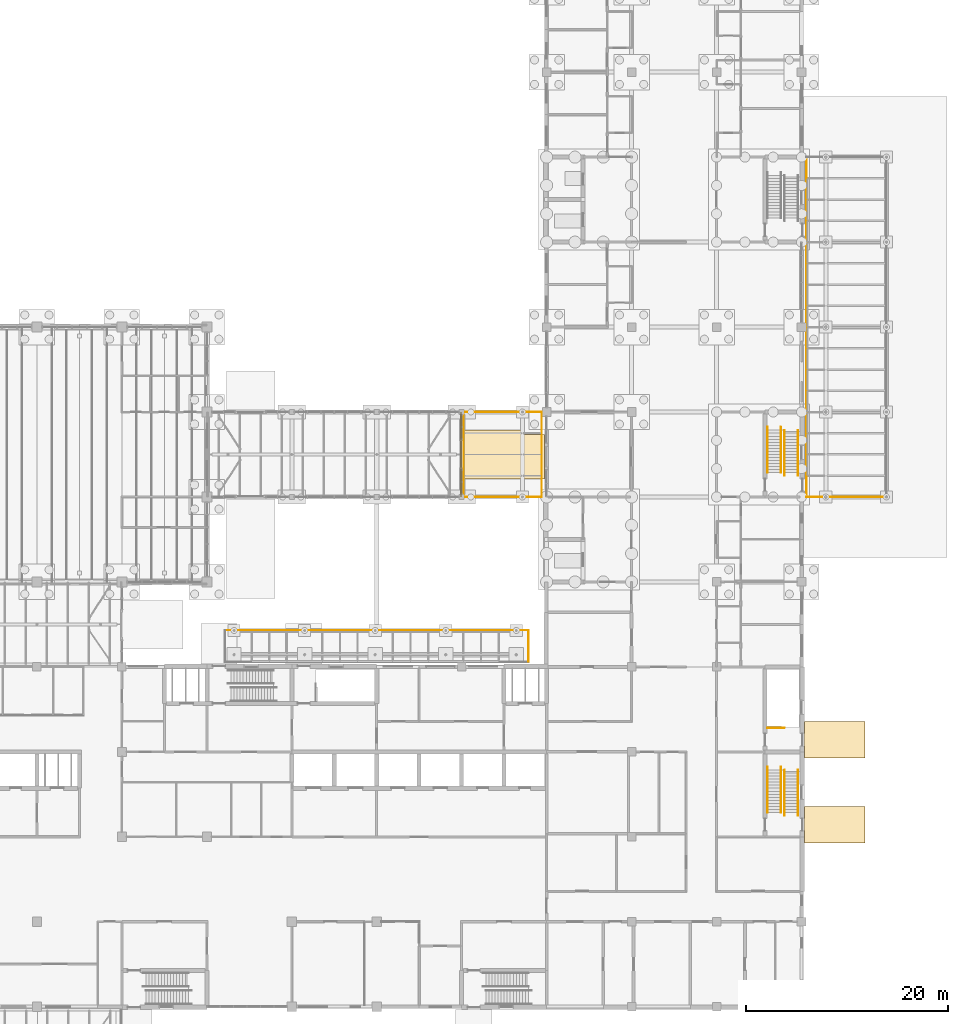
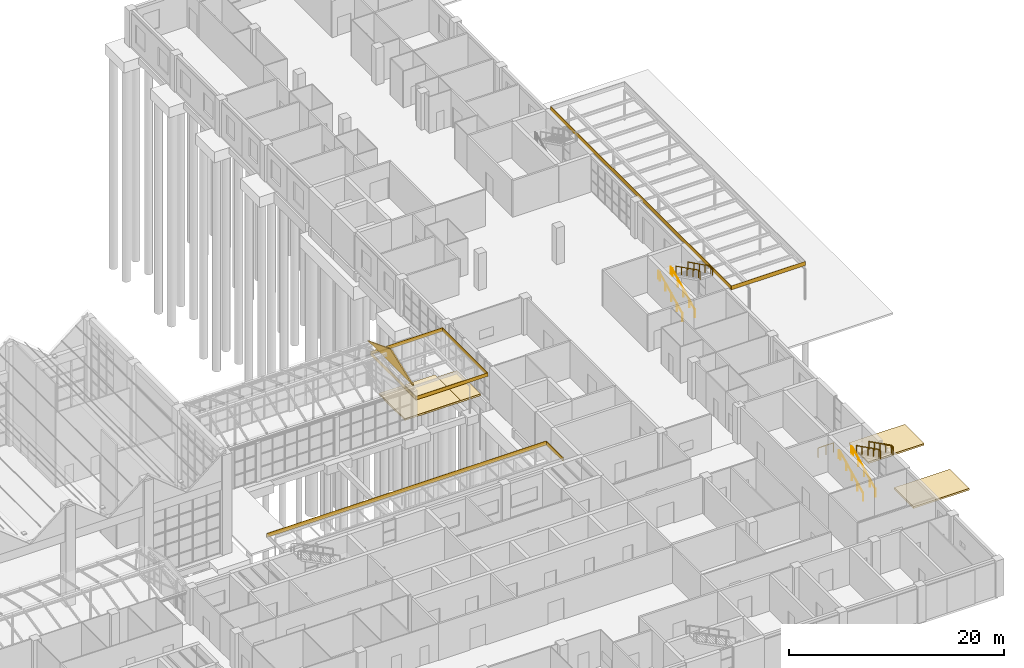
# One storey, part 135 of 138: 13 coverings, 9 railings.
"""IFC4 building model written with IfcOpenShell, lengths in metres."""

from ifc_helpers import new_model, si_unit, direction, frame, origin, origin_2d, place, context, subcontext, project, spatial, polyline, circle, outline, extrude, material, layer, layer_set, type_object, element, save


model = new_model("IFC4")

# Units and contexts
model_context = context("Model", 3, precision=1e-05, world=origin(), true_north=direction((0.0, 1.0)))
body_context = subcontext(model_context, "Body", "Model", "MODEL_VIEW")
ifc_project = project(units=[si_unit("LENGTHUNIT", "METRE"), si_unit("AREAUNIT", "SQUARE_METRE"), si_unit("VOLUMEUNIT", "CUBIC_METRE"), si_unit("PLANEANGLEUNIT", "RADIAN"), si_unit("MASSUNIT", "GRAM", prefix="KILO")], contexts=[model_context])

# Site, building, storey
site_placement = place(None, origin())
site = spatial("IfcSite", under=ifc_project, at=site_placement, CompositionType="ELEMENT")
building_placement = place(site_placement, origin())
building = spatial("IfcBuilding", under=site, at=building_placement, Name="Yavir Park General Hospital", CompositionType="ELEMENT")
storey_placement = place(building_placement, origin())
storey = spatial("IfcBuildingStorey", under=building, at=storey_placement, Name="L00", CompositionType="ELEMENT", Elevation=0.0)

# Coverings
ifc_material_1 = material(Name="Aluminium composite cladding", Category="aluminium")
ifc_layer_1 = layer(ifc_material_1, 0.0400390625)
ifc_layer_set_1 = layer_set([ifc_layer_1], Name="Aluminium composite cladding")
covering_type_1 = type_object("IfcCoveringType", Name="Canopy fascia 40", PredefinedType="CLADDING", material=ifc_layer_set_1)
covering_1_placement = place(storey_placement, frame((0.0, 0.0, 3.85009765625)))
element("IfcCovering", 1, at=covering_1_placement, inside=storey, type_object=covering_type_1, Name="Canopy fascia AMB S", PredefinedType="CLADDING", context=body_context, shape_type="SweptSolid", body=[
    extrude(outline(polyline([(168.4599609375, 50.360107421875), (176.43994140625, 50.360107421875), (176.43994140625, 50.39990234375), (168.4599609375, 50.39990234375), (168.4599609375, 50.360107421875)])), origin(), (0.0, 0.0, 1.0), 0.449951171875),
])
covering_2_placement = place(storey_placement, frame((0.0, 0.0, 3.85009765625)))
element("IfcCovering", 2, at=covering_2_placement, inside=storey, type_object=covering_type_1, Name="Canopy fascia AMB W", PredefinedType="CLADDING", context=body_context, shape_type="SweptSolid", body=[
    extrude(outline(polyline([(168.4599609375, 50.39990234375), (168.5, 50.39990234375), (168.5, 84.0), (168.4599609375, 84.0), (168.4599609375, 50.39990234375)])), origin(), (0.0, 0.0, 1.0), 0.449951171875),
])
covering_3_placement = place(storey_placement, frame((0.0, 0.0, 3.85009765625)))
element("IfcCovering", 3, at=covering_3_placement, inside=storey, type_object=covering_type_1, Name="Canopy fascia ARC2 N", PredefinedType="CLADDING", context=body_context, shape_type="SweptSolid", body=[
    extrude(outline(polyline([(110.9599609375, 37.199951171875), (141.0400390625, 37.199951171875), (141.0400390625, 37.239990234375), (110.9599609375, 37.239990234375), (110.9599609375, 37.199951171875)])), origin(), (0.0, 0.0, 1.0), 0.449951171875),
])
covering_4_placement = place(storey_placement, frame((0.0, 0.0, 3.85009765625)))
element("IfcCovering", 4, at=covering_4_placement, inside=storey, type_object=covering_type_1, Name="Canopy fascia ARC2 E", PredefinedType="CLADDING", context=body_context, shape_type="SweptSolid", body=[
    extrude(outline(polyline([(141.0, 34.10009765625), (141.0400390625, 34.10009765625), (141.0400390625, 37.199951171875), (141.0, 37.199951171875), (141.0, 34.10009765625)])), origin(), (0.0, 0.0, 1.0), 0.449951171875),
])
covering_5_placement = place(storey_placement, frame((0.0, 0.0, 3.199951171875)))
element("IfcCovering", 5, at=covering_5_placement, inside=storey, type_object=covering_type_1, Name="Canopy fascia EDW S", PredefinedType="CLADDING", context=body_context, shape_type="SweptSolid", body=[
    extrude(outline(polyline([(134.580078125, 50.360107421875), (142.340087890625, 50.360107421875), (142.340087890625, 50.39990234375), (134.580078125, 50.39990234375), (134.580078125, 50.360107421875)])), origin(), (0.0, 0.0, 1.0), 0.400146484375),
])
covering_6_placement = place(storey_placement, frame((0.0, 0.0, 3.199951171875)))
element("IfcCovering", 6, at=covering_6_placement, inside=storey, type_object=covering_type_1, Name="Canopy fascia EDW N", PredefinedType="CLADDING", context=body_context, shape_type="SweptSolid", body=[
    extrude(outline(polyline([(134.580078125, 58.800048828125), (142.340087890625, 58.800048828125), (142.340087890625, 58.840087890625), (134.580078125, 58.840087890625), (134.580078125, 58.800048828125)])), origin(), (0.0, 0.0, 1.0), 0.400146484375),
])
covering_7_placement = place(storey_placement, frame((0.0, 0.0, 3.199951171875)))
element("IfcCovering", 7, at=covering_7_placement, inside=storey, type_object=covering_type_1, Name="Canopy fascia EDW W", PredefinedType="CLADDING", context=body_context, shape_type="SweptSolid", body=[
    extrude(outline(polyline([(134.580078125, 50.39990234375), (134.6201171875, 50.39990234375), (134.6201171875, 58.800048828125), (134.580078125, 58.800048828125), (134.580078125, 50.39990234375)])), origin(), (0.0, 0.0, 1.0), 0.400146484375),
])
covering_8_placement = place(storey_placement, frame((0.0, 0.0, 3.199951171875)))
element("IfcCovering", 8, at=covering_8_placement, inside=storey, type_object=covering_type_1, Name="Canopy fascia EDW E", PredefinedType="CLADDING", context=body_context, shape_type="SweptSolid", body=[
    extrude(outline(polyline([(142.300048828125, 50.39990234375), (142.340087890625, 50.39990234375), (142.340087890625, 58.800048828125), (142.300048828125, 58.800048828125), (142.300048828125, 50.39990234375)])), origin(), (0.0, 0.0, 1.0), 0.400146484375),
])
ifc_material_2 = material(Name="Precast paving flags on a compacted sub-base", Category="concrete")
ifc_layer_2 = layer(ifc_material_2, 0.199951171875)
ifc_layer_set_2 = layer_set([ifc_layer_2], Name="Precast paving flags on a compacted sub-base")
covering_type_2 = type_object("IfcCoveringType", Name="External paving 200", PredefinedType="FLOORING", material=ifc_layer_set_2)
covering_9_placement = place(storey_placement, frame((0.0, 0.0, -0.199951171875)))
element("IfcCovering", 9, at=covering_9_placement, inside=storey, type_object=covering_type_2, Name="Entrance paving east 1", PredefinedType="FLOORING", context=body_context, shape_type="SweptSolid", body=[
    extrude(outline(polyline([(134.5, 56.10009765625), (134.5, 56.159912109375), (134.469970703125, 56.159912109375), (134.469970703125, 57.0), (140.449951171875, 57.0), (140.449951171875, 52.199951171875), (134.469970703125, 52.199951171875), (134.469970703125, 53.0400390625), (134.5, 53.0400390625), (134.5, 53.10009765625), (134.449951171875, 53.10009765625), (134.449951171875, 56.10009765625), (134.5, 56.10009765625)])), origin(), (0.0, 0.0, 1.0), 0.199951171875),
])
covering_10_placement = place(storey_placement, frame((0.0, 0.0, -0.199951171875)))
element("IfcCovering", 10, at=covering_10_placement, inside=storey, type_object=covering_type_2, Name="Entrance paving east 1", PredefinedType="FLOORING", context=body_context, shape_type="SweptSolid", body=[
    extrude(outline(polyline([(168.300048828125, 19.800048828125), (174.300048828125, 19.800048828125), (174.300048828125, 16.199951171875), (168.300048828125, 16.199951171875), (168.300048828125, 19.800048828125)])), origin(), (0.0, 0.0, 1.0), 0.199951171875),
])
covering_11_placement = place(storey_placement, frame((0.0, 0.0, -0.199951171875)))
element("IfcCovering", 11, at=covering_11_placement, inside=storey, type_object=covering_type_2, Name="Entrance paving east 2", PredefinedType="FLOORING", context=body_context, shape_type="SweptSolid", body=[
    extrude(outline(polyline([(174.300048828125, 28.199951171875), (174.300048828125, 24.60009765625), (168.300048828125, 24.60009765625), (168.300048828125, 28.199951171875), (174.300048828125, 28.199951171875)])), origin(), (0.0, 0.0, 1.0), 0.199951171875),
])
covering_12_placement = place(storey_placement, frame((0.0, 0.0, -0.199951171875)))
element("IfcCovering", 12, at=covering_12_placement, inside=storey, type_object=covering_type_2, Name="Entrance paving west 1", PredefinedType="FLOORING", context=body_context, shape_type="SweptSolid", body=[
    extrude(outline(polyline([(142.60009765625, 56.58740234375), (142.60009765625, 55.6875), (142.60009765625, 53.08740234375), (142.60009765625, 52.1875), (136.60009765625, 52.1875), (136.60009765625, 52.199951171875), (140.449951171875, 52.199951171875), (140.449951171875, 56.58740234375), (142.60009765625, 56.58740234375)])), origin(), (0.0, 0.0, 1.0), 0.199951171875),
])
ifc_material_3 = material(Name="Toughened safety glass", Category="glass")
ifc_layer_3 = layer(ifc_material_3, 0.1201171875)
ifc_layer_set_3 = layer_set([ifc_layer_3], Name="Toughened safety glass")
covering_type_3 = type_object("IfcCoveringType", Name="Gable end glass panel 120", PredefinedType="CLADDING", material=ifc_layer_set_3)
covering_13_placement = place(storey_placement, frame((134.39990234375, 50.39990234375, 4.93896484375), z_axis=(1.0, 0.0, 0.0), x_axis=(0.0, 1.0, 0.0)))
element("IfcCovering", 13, at=covering_13_placement, inside=storey, type_object=covering_type_3, Name="Gable end panel CONC-E-G01", PredefinedType="CLADDING", context=body_context, shape_type="SweptSolid", body=[
    extrude(outline(polyline([(0.0, 0.0), (8.400146484375, 0.0), (4.2001953125, 1.60009765625), (0.0, 0.0)])), origin(), (0.0, 0.0, -1.0), 0.1201171875),
])

# Railings
ifc_material_4 = material(Name="Steel balustrade with infill rods", Category="steel")
railing_type_1 = type_object("IfcRailingType", Name="Stair guard, steel balustrade 1100 mm", PredefinedType="GUARDRAIL", material=ifc_material_4)
railing_placement = place(storey_placement, frame((164.6298828125, 27.570068359375, 0.0)))
element("IfcRailing", 14, at=railing_placement, inside=storey, type_object=railing_type_1, Name="Stair well guard BS5 L00", PredefinedType="GUARDRAIL", context=body_context, shape_type="SweptSolid", body=[
    extrude(circle(Radius=0.02392578125, at=origin_2d()), frame((0.0, 0.0, 1.076171875), z_axis=(1.0, 0.0, 0.0), x_axis=(0.0, 1.0, 0.0)), (0.0, 0.0, 1.0), 1.670166015625),
    extrude(circle(Radius=0.02099609375, at=origin_2d()), origin(), (0.0, 0.0, 1.0), 1.052001953125),
    extrude(circle(Radius=0.02099609375, at=origin_2d()), frame((0.8349609375, 0.0, 0.0)), (0.0, 0.0, 1.0), 1.052001953125),
    extrude(circle(Radius=0.02099609375, at=origin_2d()), frame((1.670166015625, 0.0, 0.0)), (0.0, 0.0, 1.0), 1.052001953125),
])
ifc_material_5 = material(Name="Stainless steel tube 48 mm", Category="steel")
railing_type_2 = type_object("IfcRailingType", Name="Stair handrail, steel tube, 900 mm above the nosings", PredefinedType="HANDRAIL", material=ifc_material_5)
for number, where, name in (
    (15, (164.639892578125, 19.199951171875, 0.14990234375), "Handrail SU6 L00 1"),
    (16, (165.9599609375, 19.199951171875, 0.14990234375), "Handrail SU6 L00 2"),
):
    element("IfcRailing", number, at=place(storey_placement, frame(where)), inside=storey, type_object=railing_type_2, Name=name, PredefinedType="HANDRAIL", context=body_context, shape_type="SweptSolid", body=[
        extrude(circle(Radius=0.02392578125, at=origin_2d()), frame((0.0, 0.0, 0.8759765625), z_axis=(0.0, 0.894416792377, 0.447234392142), x_axis=(-1.0, 0.0, 0.0)), (0.0, 0.0, 1.0), 4.69580078125),
        extrude(circle(Radius=0.02392578125, at=origin_2d()), frame((0.0, 4.199951171875, 2.97607421875), z_axis=(0.0, 1.0, 0.0), x_axis=(-1.0, 0.0, 0.0)), (0.0, 0.0, 1.0), 0.300048828125),
        extrude(circle(Radius=0.02099609375, at=origin_2d()), origin(), (0.0, 0.0, 1.0), 0.851806640625),
        extrude(circle(Radius=0.02099609375, at=origin_2d()), frame((0.0, 1.050048828125, 0.52490234375)), (0.0, 0.0, 1.0), 0.851806640625),
        extrude(circle(Radius=0.02099609375, at=origin_2d()), frame((0.0, 2.10009765625, 1.050048828125)), (0.0, 0.0, 1.0), 0.851806640625),
        extrude(circle(Radius=0.02099609375, at=origin_2d()), frame((0.0, 3.14990234375, 1.5751953125)), (0.0, 0.0, 1.0), 0.851806640625),
        extrude(circle(Radius=0.02099609375, at=origin_2d()), frame((0.0, 4.199951171875, 2.10009765625)), (0.0, 0.0, 1.0), 0.851806640625),
        extrude(circle(Radius=0.02099609375, at=origin_2d()), frame((0.0, 4.5, 2.10009765625)), (0.0, 0.0, 1.0), 0.851806640625),
    ])
for number, where, name in (
    (17, (167.659912109375, 23.39990234375, 2.39990234375), "Handrail SU6 L00 3"),
    (18, (166.340087890625, 23.39990234375, 2.39990234375), "Handrail SU6 L00 4"),
):
    element("IfcRailing", number, at=place(storey_placement, frame(where)), inside=storey, type_object=railing_type_2, Name=name, PredefinedType="HANDRAIL", context=body_context, shape_type="SweptSolid", body=[
        extrude(circle(Radius=0.02392578125, at=origin_2d()), frame((0.0, 0.0, 0.8759765625), z_axis=(0.0, -0.894416792377, 0.447234392142), x_axis=(1.0, 0.0, 0.0)), (0.0, 0.0, 1.0), 4.69580078125),
        extrude(circle(Radius=0.02392578125, at=origin_2d()), frame((0.0, -4.199951171875, 2.97607421875), z_axis=(0.0, -1.0, 0.0), x_axis=(1.0, 0.0, 0.0)), (0.0, 0.0, 1.0), 0.300048828125),
        extrude(circle(Radius=0.02099609375, at=origin_2d()), origin(), (0.0, 0.0, 1.0), 0.851806640625),
        extrude(circle(Radius=0.02099609375, at=origin_2d()), frame((0.0, -1.050048828125, 0.52490234375)), (0.0, 0.0, 1.0), 0.851806640625),
        extrude(circle(Radius=0.02099609375, at=origin_2d()), frame((0.0, -2.10009765625, 1.050048828125)), (0.0, 0.0, 1.0), 0.851806640625),
        extrude(circle(Radius=0.02099609375, at=origin_2d()), frame((0.0, -3.14990234375, 1.5751953125)), (0.0, 0.0, 1.0), 0.851806640625),
        extrude(circle(Radius=0.02099609375, at=origin_2d()), frame((0.0, -4.199951171875, 2.10009765625)), (0.0, 0.0, 1.0), 0.851806640625),
        extrude(circle(Radius=0.02099609375, at=origin_2d()), frame((0.0, -4.5, 2.10009765625)), (0.0, 0.0, 1.0), 0.851806640625),
    ])
for number, where, name in (
    (19, (164.639892578125, 52.800048828125, 0.14990234375), "Handrail ES1 L00 1"),
    (20, (165.9599609375, 52.800048828125, 0.14990234375), "Handrail ES1 L00 2"),
):
    element("IfcRailing", number, at=place(storey_placement, frame(where)), inside=storey, type_object=railing_type_2, Name=name, PredefinedType="HANDRAIL", context=body_context, shape_type="SweptSolid", body=[
        extrude(circle(Radius=0.02392578125, at=origin_2d()), frame((0.0, 0.0, 0.8759765625), z_axis=(0.0, 0.894416792377, 0.447234392142), x_axis=(-1.0, 0.0, 0.0)), (0.0, 0.0, 1.0), 4.69580078125),
        extrude(circle(Radius=0.02392578125, at=origin_2d()), frame((0.0, 4.199951171875, 2.97607421875), z_axis=(0.0, 1.0, 0.0), x_axis=(-1.0, 0.0, 0.0)), (0.0, 0.0, 1.0), 0.300048828125),
        extrude(circle(Radius=0.02099609375, at=origin_2d()), origin(), (0.0, 0.0, 1.0), 0.851806640625),
        extrude(circle(Radius=0.02099609375, at=origin_2d()), frame((0.0, 1.050048828125, 0.52490234375)), (0.0, 0.0, 1.0), 0.851806640625),
        extrude(circle(Radius=0.02099609375, at=origin_2d()), frame((0.0, 2.10009765625, 1.050048828125)), (0.0, 0.0, 1.0), 0.851806640625),
        extrude(circle(Radius=0.02099609375, at=origin_2d()), frame((0.0, 3.14990234375, 1.5751953125)), (0.0, 0.0, 1.0), 0.851806640625),
        extrude(circle(Radius=0.02099609375, at=origin_2d()), frame((0.0, 4.199951171875, 2.10009765625)), (0.0, 0.0, 1.0), 0.851806640625),
        extrude(circle(Radius=0.02099609375, at=origin_2d()), frame((0.0, 4.5, 2.10009765625)), (0.0, 0.0, 1.0), 0.851806640625),
    ])
for number, where, name in (
    (21, (167.659912109375, 57.0, 2.39990234375), "Handrail ES1 L00 3"),
    (22, (166.340087890625, 57.0, 2.39990234375), "Handrail ES1 L00 4"),
):
    element("IfcRailing", number, at=place(storey_placement, frame(where)), inside=storey, type_object=railing_type_2, Name=name, PredefinedType="HANDRAIL", context=body_context, shape_type="SweptSolid", body=[
        extrude(circle(Radius=0.02392578125, at=origin_2d()), frame((0.0, 0.0, 0.8759765625), z_axis=(0.0, -0.894416792377, 0.447234392142), x_axis=(1.0, 0.0, 0.0)), (0.0, 0.0, 1.0), 4.69580078125),
        extrude(circle(Radius=0.02392578125, at=origin_2d()), frame((0.0, -4.199951171875, 2.97607421875), z_axis=(0.0, -1.0, 0.0), x_axis=(1.0, 0.0, 0.0)), (0.0, 0.0, 1.0), 0.300048828125),
        extrude(circle(Radius=0.02099609375, at=origin_2d()), origin(), (0.0, 0.0, 1.0), 0.851806640625),
        extrude(circle(Radius=0.02099609375, at=origin_2d()), frame((0.0, -1.050048828125, 0.52490234375)), (0.0, 0.0, 1.0), 0.851806640625),
        extrude(circle(Radius=0.02099609375, at=origin_2d()), frame((0.0, -2.10009765625, 1.050048828125)), (0.0, 0.0, 1.0), 0.851806640625),
        extrude(circle(Radius=0.02099609375, at=origin_2d()), frame((0.0, -3.14990234375, 1.5751953125)), (0.0, 0.0, 1.0), 0.851806640625),
        extrude(circle(Radius=0.02099609375, at=origin_2d()), frame((0.0, -4.199951171875, 2.10009765625)), (0.0, 0.0, 1.0), 0.851806640625),
        extrude(circle(Radius=0.02099609375, at=origin_2d()), frame((0.0, -4.5, 2.10009765625)), (0.0, 0.0, 1.0), 0.851806640625),
    ])

save(model, "model.ifc")
